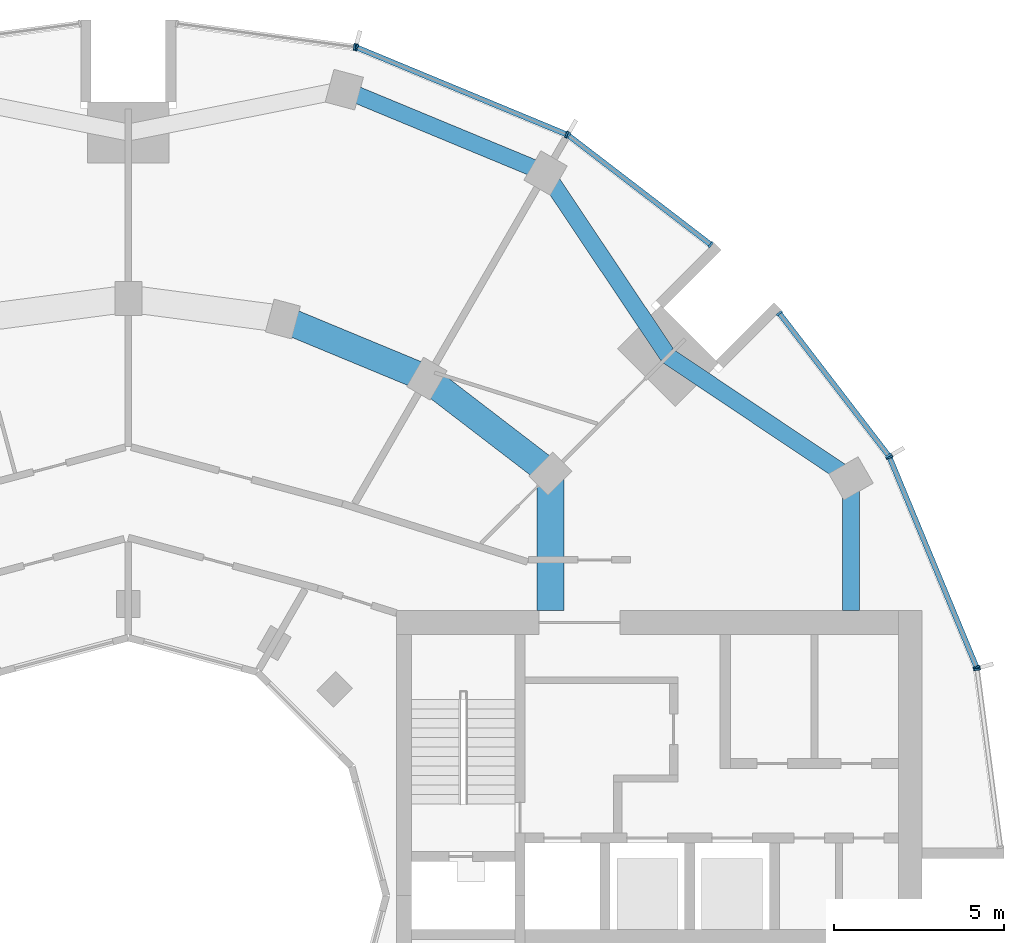
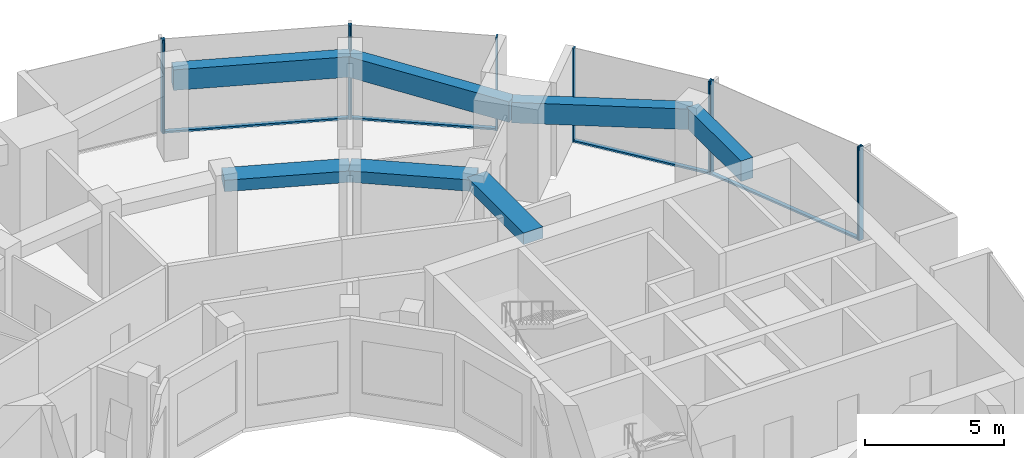
# One storey, part 6 of 15: 14 members, 7 beams, 6 elements without a shape of their own.
"""IFC4 building model written with IfcOpenShell, lengths in metres."""

from ifc_helpers import new_model, si_unit, direction, frame, origin, origin_2d, place, context, subcontext, project, spatial, rectangle, extrude, material, layer, layer_set, material_profile, profile_set, type_object, element, aggregate, save


model = new_model("IFC4")

# Units and contexts
model_context = context("Model", 3, precision=1e-05, world=origin(), true_north=direction((0.0, 1.0)))
body_context = subcontext(model_context, "Body", "Model", "MODEL_VIEW")
ifc_project = project(units=[si_unit("LENGTHUNIT", "METRE"), si_unit("AREAUNIT", "SQUARE_METRE"), si_unit("VOLUMEUNIT", "CUBIC_METRE"), si_unit("PLANEANGLEUNIT", "RADIAN"), si_unit("MASSUNIT", "GRAM", prefix="KILO")], contexts=[model_context])

# Site, building, storey
site_placement = place(None, origin())
site = spatial("IfcSite", under=ifc_project, at=site_placement, CompositionType="ELEMENT")
building_placement = place(site_placement, origin())
building = spatial("IfcBuilding", under=site, at=building_placement, Name="Torre Brocal", CompositionType="ELEMENT")
storey_placement = place(building_placement, frame((0.0, 0.0, 165.89990234375)))
storey = spatial("IfcBuildingStorey", under=building, at=storey_placement, Name="L38", CompositionType="ELEMENT", Elevation=165.89990234375)

# Curtain wall, members
ifc_material_1 = material(Name="Aluminium and glass", Category="aluminium")
ifc_layer_1 = layer(ifc_material_1, 0.199951171875)
ifc_layer_set_1 = layer_set([ifc_layer_1], Name="Aluminium and glass")
curtain_wall_type_1 = type_object("IfcCurtainWallType", Name="CW-1 CURTAIN WALL 4100 HIGH", PredefinedType="NOTDEFINED", material=ifc_layer_set_1)
curtain_wall_1_placement = place(storey_placement, origin())
curtain_wall_1 = element("IfcCurtainWall", 1, at=curtain_wall_1_placement, inside=storey, type_object=curtain_wall_type_1, Name="CW-1 RUN 2", PredefinedType="NOTDEFINED")
ifc_material_2 = material(Name="Aluminium, dark anodised", Category="aluminium")
ifc_material_profile_1 = material_profile(ifc_material_2, rectangle(XDim=0.199951171875, YDim=0.06005859375, at=origin_2d()), Name="CW-1 MULLION 60X200")
ifc_profile_set_1 = profile_set([ifc_material_profile_1], Name="Aluminium, dark anodised")
member_type_1 = type_object("IfcMemberType", Name="CW-1 MULLION 60X200", PredefinedType="MULLION", material=ifc_profile_set_1)
member_1_placement = place(storey_placement, frame((105.005126953125, 81.73095703125, 0.0), z_axis=(0.0, 0.0, 1.0), x_axis=(-0.923879532525, -0.382683432333, 0.0)))
member_1 = element("IfcMember", 2, at=member_1_placement, type_object=member_type_1, Name="CW1-4 mullion 1", PredefinedType="MULLION", context=body_context, shape_type="SweptSolid", body=[
    extrude(rectangle(XDim=0.199951171875, YDim=0.06005859375, at=origin_2d()), origin(), (0.0, 0.0, 1.0), 4.10009765625),
])
member_2_placement = place(storey_placement, frame((102.440673828125, 87.921875, 0.0), z_axis=(0.0, 0.0, 1.0), x_axis=(-0.923879532525, -0.382683432333, 0.0)))
member_2 = element("IfcMember", 3, at=member_2_placement, type_object=member_type_1, Name="CW1-4 mullion 2", PredefinedType="MULLION", context=body_context, shape_type="SweptSolid", body=[
    extrude(rectangle(XDim=0.199951171875, YDim=0.06005859375, at=origin_2d()), origin(), (0.0, 0.0, 1.0), 4.10009765625),
])

curtain_wall_2_placement = place(storey_placement, origin())
curtain_wall_2 = element("IfcCurtainWall", 4, at=curtain_wall_2_placement, inside=storey, type_object=curtain_wall_type_1, Name="CW-1 RUN 3", PredefinedType="NOTDEFINED")
member_3_placement = place(storey_placement, frame((102.4111328125, 87.973388671875, 0.0), z_axis=(0.0, 0.0, 1.0), x_axis=(-0.793353340259, -0.60876142905, 0.0)))
member_3 = element("IfcMember", 5, at=member_3_placement, type_object=member_type_1, Name="CW1-4 mullion 1", PredefinedType="MULLION", context=body_context, shape_type="SweptSolid", body=[
    extrude(rectangle(XDim=0.199951171875, YDim=0.06005859375, at=origin_2d()), origin(), (0.0, 0.0, 1.0), 4.10009765625),
])
member_4_placement = place(storey_placement, frame((99.19140625, 92.16943359375, 0.0), z_axis=(0.0, 0.0, 1.0), x_axis=(-0.793353340259, -0.60876142905, 0.0)))
member_4 = element("IfcMember", 6, at=member_4_placement, type_object=member_type_1, Name="CW1-4 mullion 2", PredefinedType="MULLION", context=body_context, shape_type="SweptSolid", body=[
    extrude(rectangle(XDim=0.199951171875, YDim=0.06005859375, at=origin_2d()), origin(), (0.0, 0.0, 1.0), 4.10009765625),
])

curtain_wall_3_placement = place(storey_placement, origin())
curtain_wall_3 = element("IfcCurtainWall", 7, at=curtain_wall_3_placement, inside=storey, type_object=curtain_wall_type_1, Name="CW-1 RUN 4", PredefinedType="NOTDEFINED")
member_5_placement = place(storey_placement, frame((97.16943359375, 94.19140625, 0.0), z_axis=(0.0, 0.0, 1.0), x_axis=(-0.60876142905, -0.793353340259, 0.0)))
member_5 = element("IfcMember", 8, at=member_5_placement, type_object=member_type_1, Name="CW1-4 mullion 1", PredefinedType="MULLION", context=body_context, shape_type="SweptSolid", body=[
    extrude(rectangle(XDim=0.199951171875, YDim=0.06005859375, at=origin_2d()), origin(), (0.0, 0.0, 1.0), 4.10009765625),
])
member_6_placement = place(storey_placement, frame((92.973388671875, 97.4111328125, 0.0), z_axis=(0.0, 0.0, 1.0), x_axis=(-0.60876142905, -0.793353340259, 0.0)))
member_6 = element("IfcMember", 9, at=member_6_placement, type_object=member_type_1, Name="CW1-4 mullion 2", PredefinedType="MULLION", context=body_context, shape_type="SweptSolid", body=[
    extrude(rectangle(XDim=0.199951171875, YDim=0.06005859375, at=origin_2d()), origin(), (0.0, 0.0, 1.0), 4.10009765625),
])

curtain_wall_4_placement = place(storey_placement, origin())
curtain_wall_4 = element("IfcCurtainWall", 10, at=curtain_wall_4_placement, inside=storey, type_object=curtain_wall_type_1, Name="CW-1 RUN 5", PredefinedType="NOTDEFINED")
member_7_placement = place(storey_placement, frame((92.921875, 97.440673828125, 0.0), z_axis=(0.0, 0.0, 1.0), x_axis=(-0.382683432333, -0.923879532525, 0.0)))
member_7 = element("IfcMember", 11, at=member_7_placement, type_object=member_type_1, Name="CW1-4 mullion 1", PredefinedType="MULLION", context=body_context, shape_type="SweptSolid", body=[
    extrude(rectangle(XDim=0.199951171875, YDim=0.06005859375, at=origin_2d()), origin(), (0.0, 0.0, 1.0), 4.10009765625),
])
member_8_placement = place(storey_placement, frame((86.73095703125, 100.005126953125, 0.0), z_axis=(0.0, 0.0, 1.0), x_axis=(-0.382683432333, -0.923879532525, 0.0)))
member_8 = element("IfcMember", 12, at=member_8_placement, type_object=member_type_1, Name="CW1-4 mullion 2", PredefinedType="MULLION", context=body_context, shape_type="SweptSolid", body=[
    extrude(rectangle(XDim=0.199951171875, YDim=0.06005859375, at=origin_2d()), origin(), (0.0, 0.0, 1.0), 4.10009765625),
])

# Curtain wall, member
curtain_wall_5_placement = place(storey_placement, origin())
curtain_wall_5 = element("IfcCurtainWall", 13, at=curtain_wall_5_placement, inside=storey, type_object=curtain_wall_type_1, Name="CW-1 RUN 6", PredefinedType="NOTDEFINED")
member_9_placement = place(storey_placement, frame((86.67333984375, 100.0205078125, 0.0), z_axis=(0.0, 0.0, 1.0), x_axis=(-0.13052619222, -0.991444861374, 0.0)))
member_9 = element("IfcMember", 14, at=member_9_placement, type_object=member_type_1, Name="CW1-4 mullion 1", PredefinedType="MULLION", context=body_context, shape_type="SweptSolid", body=[
    extrude(rectangle(XDim=0.199951171875, YDim=0.06005859375, at=origin_2d()), origin(), (0.0, 0.0, 1.0), 4.10009765625),
])
aggregate(curtain_wall_5, [member_9])

# Member
ifc_material_3 = material(Name="Aluminium, dark anodised", Category="aluminium")
ifc_material_profile_2 = material_profile(ifc_material_3, rectangle(XDim=0.159912109375, YDim=0.080078125, at=origin_2d()), Name="CW-1 TRANSOM 160X80")
ifc_profile_set_2 = profile_set([ifc_material_profile_2], Name="Aluminium, dark anodised")
member_type_2 = type_object("IfcMemberType", Name="CW-1 TRANSOM 160X80", PredefinedType="USERDEFINED", material=ifc_profile_set_2)
member_10_placement = place(storey_placement, frame((104.99365234375, 81.758544921875, 0.0400390625), z_axis=(-0.38266457234, 0.923887344364, 0.0), x_axis=(-0.923887344364, -0.38266457234, 0.0)))
member_10 = element("IfcMember", 15, at=member_10_placement, type_object=member_type_2, Name="CW1-4 transom 1.1", ObjectType="TRANSOM", PredefinedType="USERDEFINED", context=body_context, shape_type="SweptSolid", body=[
    extrude(rectangle(XDim=0.159912109375, YDim=0.080078125, at=origin_2d()), origin(), (0.0, 0.0, 1.0), 6.640869140625),
])

aggregate(curtain_wall_1, [member_1, member_2, member_10])

member_11_placement = place(storey_placement, frame((102.392822265625, 87.9970703125, 0.0400390625), z_axis=(-0.60874908096, 0.79336281513, 0.0), x_axis=(-0.79336281513, -0.60874908096, 0.0)))
member_11 = element("IfcMember", 16, at=member_11_placement, type_object=member_type_2, Name="CW1-4 transom 1.1", ObjectType="TRANSOM", PredefinedType="USERDEFINED", context=body_context, shape_type="SweptSolid", body=[
    extrude(rectangle(XDim=0.159912109375, YDim=0.080078125, at=origin_2d()), origin(), (0.0, 0.0, 1.0), 5.22900390625),
])

aggregate(curtain_wall_2, [member_3, member_4, member_11])

member_12_placement = place(storey_placement, frame((97.1455078125, 94.209716796875, 0.0400390625), z_axis=(-0.79336281513, 0.60874908096, 0.0), x_axis=(-0.60874908096, -0.79336281513, 0.0)))
member_12 = element("IfcMember", 17, at=member_12_placement, type_object=member_type_2, Name="CW1-4 transom 1.1", ObjectType="TRANSOM", PredefinedType="USERDEFINED", context=body_context, shape_type="SweptSolid", body=[
    extrude(rectangle(XDim=0.159912109375, YDim=0.080078125, at=origin_2d()), origin(), (0.0, 0.0, 1.0), 5.22900390625),
])

aggregate(curtain_wall_3, [member_5, member_6, member_12])

member_13_placement = place(storey_placement, frame((92.89404296875, 97.452392578125, 0.0400390625), z_axis=(-0.923887344364, 0.38266457234, 0.0), x_axis=(-0.38266457234, -0.923887344364, 0.0)))
member_13 = element("IfcMember", 18, at=member_13_placement, type_object=member_type_2, Name="CW1-4 transom 1.1", ObjectType="TRANSOM", PredefinedType="USERDEFINED", context=body_context, shape_type="SweptSolid", body=[
    extrude(rectangle(XDim=0.159912109375, YDim=0.080078125, at=origin_2d()), origin(), (0.0, 0.0, 1.0), 6.640869140625),
])

aggregate(curtain_wall_4, [member_7, member_8, member_13])

# Curtain wall, member
ifc_material_4 = material(Name="Aluminium and glass", Category="aluminium")
ifc_layer_2 = layer(ifc_material_4, 0.199951171875)
ifc_layer_set_2 = layer_set([ifc_layer_2], Name="Aluminium and glass")
curtain_wall_type_2 = type_object("IfcCurtainWallType", Name="CW-1B CURTAIN WALL 4100 HIGH", PredefinedType="NOTDEFINED", material=ifc_layer_set_2)
curtain_wall_6_placement = place(storey_placement, origin())
curtain_wall_6 = element("IfcCurtainWall", 19, at=curtain_wall_6_placement, inside=storey, type_object=curtain_wall_type_2, Name="CW-1B RUN 1", PredefinedType="NOTDEFINED")
ifc_material_5 = material(Name="Aluminium, dark anodised", Category="aluminium")
ifc_material_profile_3 = material_profile(ifc_material_5, rectangle(XDim=0.199951171875, YDim=0.06005859375, at=origin_2d()), Name="CW-1B MULLION 60X200")
ifc_profile_set_3 = profile_set([ifc_material_profile_3], Name="Aluminium, dark anodised")
member_type_3 = type_object("IfcMemberType", Name="CW-1B MULLION 60X200", PredefinedType="MULLION", material=ifc_profile_set_3)
member_14_placement = place(storey_placement, frame((105.0205078125, 81.67333984375, 0.0), z_axis=(0.0, 0.0, 1.0), x_axis=(-0.991444861374, -0.13052619222, 0.0)))
member_14 = element("IfcMember", 20, at=member_14_placement, type_object=member_type_3, Name="CW1B-4 mullion 2", PredefinedType="MULLION", context=body_context, shape_type="SweptSolid", body=[
    extrude(rectangle(XDim=0.199951171875, YDim=0.06005859375, at=origin_2d()), origin(), (0.0, 0.0, 1.0), 4.10009765625),
])
aggregate(curtain_wall_6, [member_14])

# Beams
ifc_material_6 = material(Name="Concrete C50", Category="concrete")
ifc_material_profile_4 = material_profile(ifc_material_6, rectangle(XDim=0.800048828125, YDim=0.5, at=origin_2d()), Name="RC 800X500")
ifc_profile_set_4 = profile_set([ifc_material_profile_4], Name="Concrete C50")
beam_type_1 = type_object("IfcBeamType", Name="RC BEAM 800X500 C50 TOP 3780", PredefinedType="BEAM", material=ifc_profile_set_4)
beam_1_placement = place(storey_placement, frame((92.445068359375, 87.445068359375, 3.530029296875), z_axis=(-0.793358265959, 0.6087550097, 0.0), x_axis=(-0.6087550097, -0.793358265959, 0.0)))
element("IfcBeam", 21, at=beam_1_placement, inside=storey, type_object=beam_type_1, Name="Beam BT-32", PredefinedType="BEAM", context=body_context, shape_type="SweptSolid", body=[
    extrude(rectangle(XDim=0.800048828125, YDim=0.5, at=origin_2d()), origin(), (0.0, 0.0, 1.0), 4.594482421875),
])
beam_2_placement = place(storey_placement, frame((88.800048828125, 90.241943359375, 3.530029296875), z_axis=(-0.923878240166, 0.382686552348, 0.0), x_axis=(-0.382686552348, -0.923878240166, 0.0)))
element("IfcBeam", 22, at=beam_2_placement, inside=storey, type_object=beam_type_1, Name="Beam BT-32", PredefinedType="BEAM", context=body_context, shape_type="SweptSolid", body=[
    extrude(rectangle(XDim=0.800048828125, YDim=0.5, at=origin_2d()), origin(), (0.0, 0.0, 1.0), 4.5947265625),
])
beam_3_placement = place(storey_placement, frame((92.445068359375, 87.445068359375, 3.530029296875), z_axis=(0.0, -1.0, 0.0), x_axis=(1.0, 0.0, 0.0)))
element("IfcBeam", 23, at=beam_3_placement, inside=storey, type_object=beam_type_1, Name="Beam BT-32", PredefinedType="BEAM", context=body_context, shape_type="SweptSolid", body=[
    extrude(rectangle(XDim=0.800048828125, YDim=0.5, at=origin_2d()), origin(), (0.0, 0.0, 1.0), 4.045166015625),
])
ifc_material_7 = material(Name="Concrete C50", Category="concrete")
ifc_material_profile_5 = material_profile(ifc_material_7, rectangle(XDim=0.5, YDim=0.89990234375, at=origin_2d()), Name="RC 500X900")
ifc_profile_set_5 = profile_set([ifc_material_profile_5], Name="Concrete C50")
beam_type_2 = type_object("IfcBeamType", Name="RC SPANDREL BEAM 500X900 C50 TOP 3780", PredefinedType="SPANDREL", material=ifc_profile_set_5)
for number, where, z_axis, x_axis, name in (
    (24, (101.30419921875, 87.300048828125, 3.330078125), (-0.831076844476, 0.556157602282, 0.0), (-0.556157602282, -0.831076844476, 0.0), "Beam BT-33"),
    (25, (95.909912109375, 90.909912109375, 3.330078125), (-0.556157602282, 0.831076844476, 0.0), (-0.831076844476, -0.556157602282, 0.0), "Beam BT-33"),
):
    element("IfcBeam", number, at=place(storey_placement, frame(where, z_axis=z_axis, x_axis=x_axis)), inside=storey, type_object=beam_type_2, Name=name, PredefinedType="SPANDREL", context=body_context, shape_type="SweptSolid", body=[
        extrude(rectangle(XDim=0.5, YDim=0.89990234375, at=origin_2d()), origin(), (0.0, 0.0, 1.0), 6.49072265625),
    ])
beam_4_placement = place(storey_placement, frame((92.300048828125, 96.30419921875, 3.330078125), z_axis=(-0.923882462513, 0.382676358639, 0.0), x_axis=(-0.382676358639, -0.923882462513, 0.0)))
element("IfcBeam", 26, at=beam_4_placement, inside=storey, type_object=beam_type_2, Name="Beam BT-33", PredefinedType="SPANDREL", context=body_context, shape_type="SweptSolid", body=[
    extrude(rectangle(XDim=0.5, YDim=0.89990234375, at=origin_2d()), origin(), (0.0, 0.0, 1.0), 6.421875),
])
beam_5_placement = place(storey_placement, frame((101.30419921875, 87.300048828125, 3.330078125), z_axis=(0.0, -1.0, 0.0), x_axis=(1.0, 0.0, 0.0)))
element("IfcBeam", 27, at=beam_5_placement, inside=storey, type_object=beam_type_2, Name="Beam BT-33", PredefinedType="SPANDREL", context=body_context, shape_type="SweptSolid", body=[
    extrude(rectangle(XDim=0.5, YDim=0.89990234375, at=origin_2d()), origin(), (0.0, 0.0, 1.0), 3.900146484375),
])

save(model, "model.ifc")
